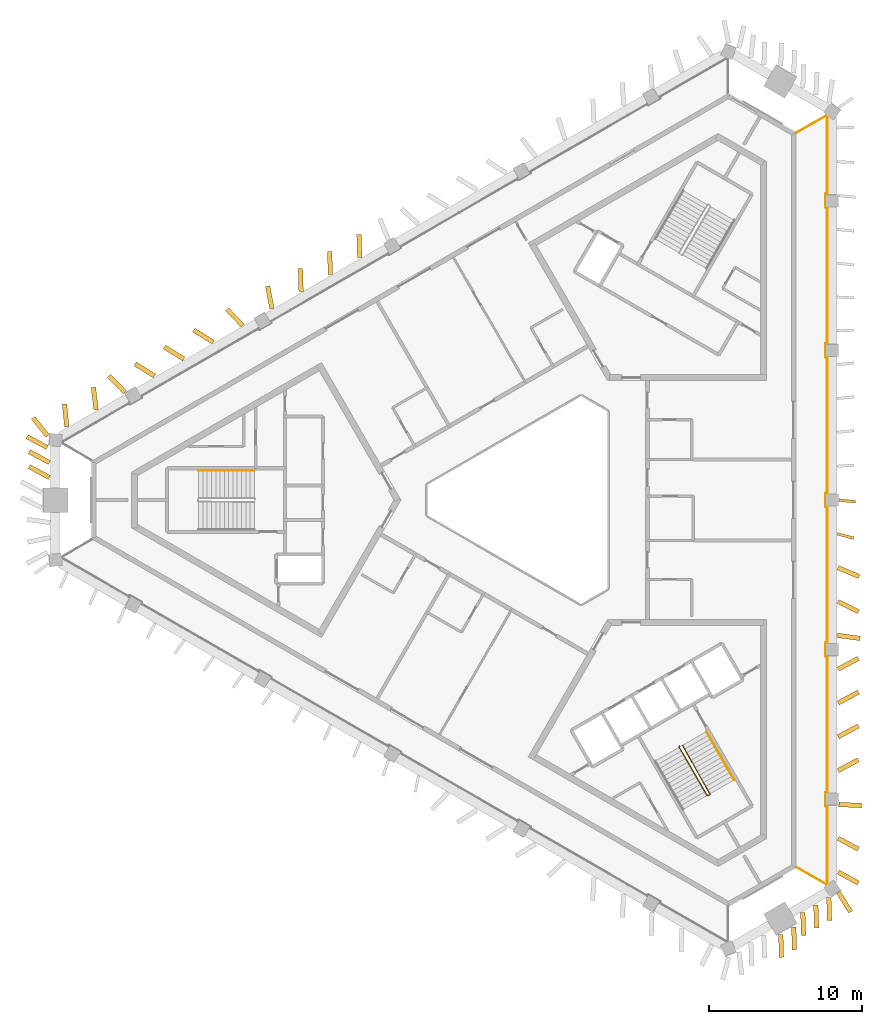
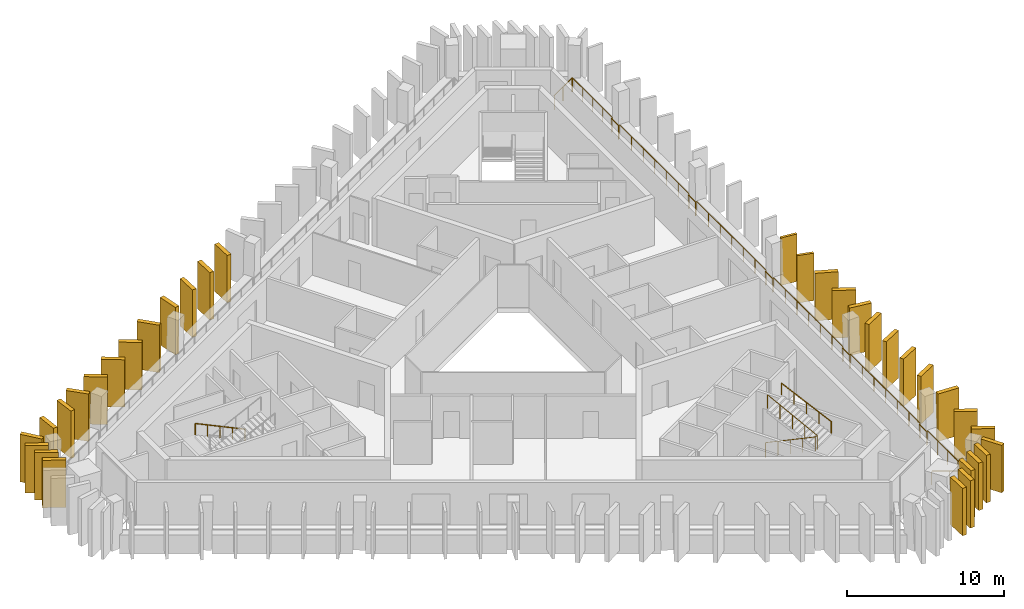
# One storey, part 8 of 9: 33 shading devices, 4 railings.
"""IFC4 building model written with IfcOpenShell, lengths in metres."""

from ifc_helpers import new_model, si_unit, direction, frame, frame_2d, origin, origin_2d, place, context, subcontext, project, spatial, rectangle, circle, extrude, material, layer, layer_set, type_object, element, save


model = new_model("IFC4")

# Units and contexts
model_context = context("Model", 3, precision=1e-05, world=origin(), true_north=direction((0.0, 1.0)))
body_context = subcontext(model_context, "Body", "Model", "MODEL_VIEW")
ifc_project = project(units=[si_unit("LENGTHUNIT", "METRE"), si_unit("AREAUNIT", "SQUARE_METRE"), si_unit("VOLUMEUNIT", "CUBIC_METRE"), si_unit("PLANEANGLEUNIT", "RADIAN"), si_unit("MASSUNIT", "GRAM", prefix="KILO")], contexts=[model_context])

# Site, building, storey
site_placement = place(None, origin())
site = spatial("IfcSite", under=ifc_project, at=site_placement, CompositionType="ELEMENT")
building_placement = place(site_placement, origin())
building = spatial("IfcBuilding", under=site, at=building_placement, Name="Jabali Bay Hotel Tower and Convention Centre", CompositionType="ELEMENT")
storey_placement = place(building_placement, frame((0.0, 0.0, 270.10009765625)))
storey = spatial("IfcBuildingStorey", under=building, at=storey_placement, Name="L66", CompositionType="ELEMENT", Elevation=270.10009765625)

# Railing
ifc_material_1 = material(Name="Glass", Category="glass")
railing_type_1 = type_object("IfcRailingType", Name="Loggia glass guard 1100", PredefinedType="BALUSTRADE", material=ifc_material_1)
railing_1_placement = place(storey_placement, frame((91.8525390625, 104.002197265625, 0.0)))
element("IfcRailing", 1, at=railing_1_placement, inside=storey, type_object=railing_type_1, Name="Loggia glass guard L66", PredefinedType="BALUSTRADE", context=body_context, shape_type="SweptSolid", body=[
    extrude(circle(Radius=0.02490234375, at=origin_2d()), frame((0.0, 0.0, 1.0751953125), z_axis=(0.865989003036, 0.500063042646, 0.0), x_axis=(-0.495784933994, 0.858580347067, 0.13052619222)), (0.0, 0.0, 1.0), 2.275146484375),
    extrude(circle(Radius=0.02490234375, at=origin_2d()), frame((1.97021484375, 1.1376953125, 1.0751953125), z_axis=(0.79528205549, -0.606239599677, 0.0), x_axis=(0.601053135861, 0.788478307258, 0.13052619222)), (0.0, 0.0, 1.0), 0.037353515625),
    extrude(circle(Radius=0.02490234375, at=origin_2d()), frame((2.0, 1.114990234375, 1.0751953125), z_axis=(0.0, -1.0, 0.0), x_axis=(0.991444861374, 0.0, 0.13052619222)), (0.0, 0.0, 1.0), 5.108154296875),
    extrude(circle(Radius=0.02490234375, at=origin_2d()), frame((2.0, -3.9931640625, 1.0751953125), z_axis=(-1.0, 0.0, 0.0), x_axis=(0.0, -0.991444861374, 0.13052619222)), (0.0, 0.0, 1.0), 0.099853515625),
    extrude(circle(Radius=0.02490234375, at=origin_2d()), frame((1.900146484375, -3.9931640625, 1.0751953125), z_axis=(0.0, -1.0, 0.0), x_axis=(0.991444861374, 0.0, 0.13052619222)), (0.0, 0.0, 1.0), 0.900146484375),
    extrude(circle(Radius=0.02490234375, at=origin_2d()), frame((1.900146484375, -4.893310546875, 1.0751953125), z_axis=(1.0, 0.0, 0.0), x_axis=(0.0, 0.991444861374, 0.13052619222)), (0.0, 0.0, 1.0), 0.099853515625),
    extrude(circle(Radius=0.02490234375, at=origin_2d()), frame((2.0, -4.893310546875, 1.0751953125), z_axis=(0.0, -1.0, 0.0), x_axis=(0.991444861374, 0.0, 0.13052619222)), (0.0, 0.0, 1.0), 8.87939453125),
    extrude(circle(Radius=0.02490234375, at=origin_2d()), frame((2.0, -13.772705078125, 1.0751953125), z_axis=(-1.0, 0.0, 0.0), x_axis=(0.0, -0.991444861374, 0.13052619222)), (0.0, 0.0, 1.0), 0.099853515625),
    extrude(circle(Radius=0.02490234375, at=origin_2d()), frame((1.900146484375, -13.772705078125, 1.0751953125), z_axis=(0.0, -1.0, 0.0), x_axis=(0.991444861374, 0.0, 0.13052619222)), (0.0, 0.0, 1.0), 0.900146484375),
    extrude(circle(Radius=0.02490234375, at=origin_2d()), frame((1.900146484375, -14.6728515625, 1.0751953125), z_axis=(1.0, 0.0, 0.0), x_axis=(0.0, 0.991444861374, 0.13052619222)), (0.0, 0.0, 1.0), 0.099853515625),
    extrude(circle(Radius=0.02490234375, at=origin_2d()), frame((2.0, -14.6728515625, 1.0751953125), z_axis=(0.0, -1.0, 0.0), x_axis=(0.991444861374, 0.0, 0.13052619222)), (0.0, 0.0, 1.0), 8.87939453125),
    extrude(circle(Radius=0.02490234375, at=origin_2d()), frame((2.0, -23.55224609375, 1.0751953125), z_axis=(-1.0, 0.0, 0.0), x_axis=(0.0, -0.991444861374, 0.13052619222)), (0.0, 0.0, 1.0), 0.099853515625),
    extrude(circle(Radius=0.02490234375, at=origin_2d()), frame((1.900146484375, -23.55224609375, 1.0751953125), z_axis=(0.0, -1.0, 0.0), x_axis=(0.991444861374, 0.0, 0.13052619222)), (0.0, 0.0, 1.0), 0.89990234375),
    extrude(circle(Radius=0.02490234375, at=origin_2d()), frame((1.900146484375, -24.4521484375, 1.0751953125), z_axis=(1.0, 0.0, 0.0), x_axis=(0.0, 0.991444861374, 0.13052619222)), (0.0, 0.0, 1.0), 0.099853515625),
    extrude(circle(Radius=0.02490234375, at=origin_2d()), frame((2.0, -24.4521484375, 1.0751953125), z_axis=(0.0, -1.0, 0.0), x_axis=(0.991444861374, 0.0, 0.13052619222)), (0.0, 0.0, 1.0), 8.87939453125),
    extrude(circle(Radius=0.02490234375, at=origin_2d()), frame((2.0, -33.33154296875, 1.0751953125), z_axis=(-1.0, 0.0, 0.0), x_axis=(0.0, -0.991444861374, 0.13052619222)), (0.0, 0.0, 1.0), 0.099853515625),
    extrude(circle(Radius=0.02490234375, at=origin_2d()), frame((1.900146484375, -33.33154296875, 1.0751953125), z_axis=(0.0, -1.0, 0.0), x_axis=(0.991444861374, 0.0, 0.13052619222)), (0.0, 0.0, 1.0), 0.900146484375),
    extrude(circle(Radius=0.02490234375, at=origin_2d()), frame((1.900146484375, -34.231689453125, 1.0751953125), z_axis=(1.0, 0.0, 0.0), x_axis=(0.0, 0.991444861374, 0.13052619222)), (0.0, 0.0, 1.0), 0.099853515625),
    extrude(circle(Radius=0.02490234375, at=origin_2d()), frame((2.0, -34.231689453125, 1.0751953125), z_axis=(0.0, -1.0, 0.0), x_axis=(0.991444861374, 0.0, 0.13052619222)), (0.0, 0.0, 1.0), 8.87939453125),
    extrude(circle(Radius=0.02490234375, at=origin_2d()), frame((2.0, -43.111083984375, 1.0751953125), z_axis=(-1.0, 0.0, 0.0), x_axis=(0.0, -0.991444861374, 0.13052619222)), (0.0, 0.0, 1.0), 0.099853515625),
    extrude(circle(Radius=0.02490234375, at=origin_2d()), frame((1.900146484375, -43.111083984375, 1.0751953125), z_axis=(0.0, -1.0, 0.0), x_axis=(0.991444861374, 0.0, 0.13052619222)), (0.0, 0.0, 1.0), 0.900146484375),
    extrude(circle(Radius=0.02490234375, at=origin_2d()), frame((1.900146484375, -44.01123046875, 1.0751953125), z_axis=(1.0, 0.0, 0.0), x_axis=(0.0, 0.991444861374, 0.13052619222)), (0.0, 0.0, 1.0), 0.099853515625),
    extrude(circle(Radius=0.02490234375, at=origin_2d()), frame((2.0, -44.01123046875, 1.0751953125), z_axis=(0.0, -1.0, 0.0), x_axis=(0.991444861374, 0.0, 0.13052619222)), (0.0, 0.0, 1.0), 5.108154296875),
    extrude(circle(Radius=0.02490234375, at=origin_2d()), frame((2.0, -49.119384765625, 1.0751953125), z_axis=(-0.79528205549, -0.606239599677, 0.0), x_axis=(0.601053135861, -0.788478307258, 0.13052619222)), (0.0, 0.0, 1.0), 0.037353515625),
    extrude(circle(Radius=0.02490234375, at=origin_2d()), frame((1.97021484375, -49.14208984375, 1.0751953125), z_axis=(-0.865989003036, 0.500063042646, 0.0), x_axis=(-0.495784933994, -0.858580347067, 0.13052619222)), (0.0, 0.0, 1.0), 2.275146484375),
    extrude(circle(Radius=0.02001953125, at=origin_2d()), origin(), (0.0, 0.0, 1.0), 1.050048828125),
    extrude(circle(Radius=0.02001953125, at=origin_2d()), frame((0.985107421875, 0.56884765625, 0.0)), (0.0, 0.0, 1.0), 1.050048828125),
    extrude(circle(Radius=0.02001953125, at=origin_2d()), frame((1.97021484375, 1.1376953125, 0.0)), (0.0, 0.0, 1.0), 1.050048828125),
    extrude(circle(Radius=0.02001953125, at=origin_2d()), frame((2.0, 1.114990234375, 0.0)), (0.0, 0.0, 1.0), 1.050048828125),
    extrude(circle(Radius=0.02001953125, at=origin_2d()), frame((2.0, -0.162109375, 0.0)), (0.0, 0.0, 1.0), 1.050048828125),
    extrude(circle(Radius=0.02001953125, at=origin_2d()), frame((2.0, -1.43896484375, 0.0)), (0.0, 0.0, 1.0), 1.050048828125),
    extrude(circle(Radius=0.02001953125, at=origin_2d()), frame((2.0, -2.716064453125, 0.0)), (0.0, 0.0, 1.0), 1.050048828125),
    extrude(circle(Radius=0.02001953125, at=origin_2d()), frame((2.0, -3.9931640625, 0.0)), (0.0, 0.0, 1.0), 1.050048828125),
    extrude(circle(Radius=0.02001953125, at=origin_2d()), frame((1.900146484375, -3.9931640625, 0.0)), (0.0, 0.0, 1.0), 1.050048828125),
    extrude(circle(Radius=0.02001953125, at=origin_2d()), frame((1.900146484375, -4.893310546875, 0.0)), (0.0, 0.0, 1.0), 1.050048828125),
    extrude(circle(Radius=0.02001953125, at=origin_2d()), frame((2.0, -4.893310546875, 0.0)), (0.0, 0.0, 1.0), 1.050048828125),
    extrude(circle(Radius=0.02001953125, at=origin_2d()), frame((2.0, -6.373291015625, 0.0)), (0.0, 0.0, 1.0), 1.050048828125),
    extrude(circle(Radius=0.02001953125, at=origin_2d()), frame((2.0, -7.85302734375, 0.0)), (0.0, 0.0, 1.0), 1.050048828125),
    extrude(circle(Radius=0.02001953125, at=origin_2d()), frame((2.0, -9.3330078125, 0.0)), (0.0, 0.0, 1.0), 1.050048828125),
    extrude(circle(Radius=0.02001953125, at=origin_2d()), frame((2.0, -10.81298828125, 0.0)), (0.0, 0.0, 1.0), 1.050048828125),
    extrude(circle(Radius=0.02001953125, at=origin_2d()), frame((2.0, -12.292724609375, 0.0)), (0.0, 0.0, 1.0), 1.050048828125),
    extrude(circle(Radius=0.02001953125, at=origin_2d()), frame((2.0, -13.772705078125, 0.0)), (0.0, 0.0, 1.0), 1.050048828125),
    extrude(circle(Radius=0.02001953125, at=origin_2d()), frame((1.900146484375, -13.772705078125, 0.0)), (0.0, 0.0, 1.0), 1.050048828125),
    extrude(circle(Radius=0.02001953125, at=origin_2d()), frame((1.900146484375, -14.6728515625, 0.0)), (0.0, 0.0, 1.0), 1.050048828125),
    extrude(circle(Radius=0.02001953125, at=origin_2d()), frame((2.0, -14.6728515625, 0.0)), (0.0, 0.0, 1.0), 1.050048828125),
    extrude(circle(Radius=0.02001953125, at=origin_2d()), frame((2.0, -16.15283203125, 0.0)), (0.0, 0.0, 1.0), 1.050048828125),
    extrude(circle(Radius=0.02001953125, at=origin_2d()), frame((2.0, -17.632568359375, 0.0)), (0.0, 0.0, 1.0), 1.050048828125),
    extrude(circle(Radius=0.02001953125, at=origin_2d()), frame((2.0, -19.112548828125, 0.0)), (0.0, 0.0, 1.0), 1.050048828125),
    extrude(circle(Radius=0.02001953125, at=origin_2d()), frame((2.0, -20.592529296875, 0.0)), (0.0, 0.0, 1.0), 1.050048828125),
    extrude(circle(Radius=0.02001953125, at=origin_2d()), frame((2.0, -22.072265625, 0.0)), (0.0, 0.0, 1.0), 1.050048828125),
    extrude(circle(Radius=0.02001953125, at=origin_2d()), frame((2.0, -23.55224609375, 0.0)), (0.0, 0.0, 1.0), 1.050048828125),
    extrude(circle(Radius=0.02001953125, at=origin_2d()), frame((1.900146484375, -23.55224609375, 0.0)), (0.0, 0.0, 1.0), 1.050048828125),
    extrude(circle(Radius=0.02001953125, at=origin_2d()), frame((1.900146484375, -24.4521484375, 0.0)), (0.0, 0.0, 1.0), 1.050048828125),
    extrude(circle(Radius=0.02001953125, at=origin_2d()), frame((2.0, -24.4521484375, 0.0)), (0.0, 0.0, 1.0), 1.050048828125),
    extrude(circle(Radius=0.02001953125, at=origin_2d()), frame((2.0, -25.93212890625, 0.0)), (0.0, 0.0, 1.0), 1.050048828125),
    extrude(circle(Radius=0.02001953125, at=origin_2d()), frame((2.0, -27.411865234375, 0.0)), (0.0, 0.0, 1.0), 1.050048828125),
    extrude(circle(Radius=0.02001953125, at=origin_2d()), frame((2.0, -28.891845703125, 0.0)), (0.0, 0.0, 1.0), 1.050048828125),
    extrude(circle(Radius=0.02001953125, at=origin_2d()), frame((2.0, -30.371826171875, 0.0)), (0.0, 0.0, 1.0), 1.050048828125),
    extrude(circle(Radius=0.02001953125, at=origin_2d()), frame((2.0, -31.8515625, 0.0)), (0.0, 0.0, 1.0), 1.050048828125),
    extrude(circle(Radius=0.02001953125, at=origin_2d()), frame((2.0, -33.33154296875, 0.0)), (0.0, 0.0, 1.0), 1.050048828125),
    extrude(circle(Radius=0.02001953125, at=origin_2d()), frame((1.900146484375, -33.33154296875, 0.0)), (0.0, 0.0, 1.0), 1.050048828125),
    extrude(circle(Radius=0.02001953125, at=origin_2d()), frame((1.900146484375, -34.231689453125, 0.0)), (0.0, 0.0, 1.0), 1.050048828125),
    extrude(circle(Radius=0.02001953125, at=origin_2d()), frame((2.0, -34.231689453125, 0.0)), (0.0, 0.0, 1.0), 1.050048828125),
    extrude(circle(Radius=0.02001953125, at=origin_2d()), frame((2.0, -35.711669921875, 0.0)), (0.0, 0.0, 1.0), 1.050048828125),
    extrude(circle(Radius=0.02001953125, at=origin_2d()), frame((2.0, -37.19140625, 0.0)), (0.0, 0.0, 1.0), 1.050048828125),
    extrude(circle(Radius=0.02001953125, at=origin_2d()), frame((2.0, -38.67138671875, 0.0)), (0.0, 0.0, 1.0), 1.050048828125),
    extrude(circle(Radius=0.02001953125, at=origin_2d()), frame((2.0, -40.1513671875, 0.0)), (0.0, 0.0, 1.0), 1.050048828125),
    extrude(circle(Radius=0.02001953125, at=origin_2d()), frame((2.0, -41.631103515625, 0.0)), (0.0, 0.0, 1.0), 1.050048828125),
    extrude(circle(Radius=0.02001953125, at=origin_2d()), frame((2.0, -43.111083984375, 0.0)), (0.0, 0.0, 1.0), 1.050048828125),
    extrude(circle(Radius=0.02001953125, at=origin_2d()), frame((1.900146484375, -43.111083984375, 0.0)), (0.0, 0.0, 1.0), 1.050048828125),
    extrude(circle(Radius=0.02001953125, at=origin_2d()), frame((1.900146484375, -44.01123046875, 0.0)), (0.0, 0.0, 1.0), 1.050048828125),
    extrude(circle(Radius=0.02001953125, at=origin_2d()), frame((2.0, -44.01123046875, 0.0)), (0.0, 0.0, 1.0), 1.050048828125),
    extrude(circle(Radius=0.02001953125, at=origin_2d()), frame((2.0, -45.288330078125, 0.0)), (0.0, 0.0, 1.0), 1.050048828125),
    extrude(circle(Radius=0.02001953125, at=origin_2d()), frame((2.0, -46.5654296875, 0.0)), (0.0, 0.0, 1.0), 1.050048828125),
    extrude(circle(Radius=0.02001953125, at=origin_2d()), frame((2.0, -47.84228515625, 0.0)), (0.0, 0.0, 1.0), 1.050048828125),
    extrude(circle(Radius=0.02001953125, at=origin_2d()), frame((2.0, -49.119384765625, 0.0)), (0.0, 0.0, 1.0), 1.050048828125),
    extrude(circle(Radius=0.02001953125, at=origin_2d()), frame((1.97021484375, -49.14208984375, 0.0)), (0.0, 0.0, 1.0), 1.050048828125),
    extrude(circle(Radius=0.02001953125, at=origin_2d()), frame((0.985107421875, -48.5732421875, 0.0)), (0.0, 0.0, 1.0), 1.050048828125),
    extrude(circle(Radius=0.02001953125, at=origin_2d()), frame((0.0, -48.00439453125, 0.0)), (0.0, 0.0, 1.0), 1.050048828125),
])

# Shading devices
ifc_material_2 = material(Name="Precast concrete C60", Category="concrete")
ifc_layer_1 = layer(ifc_material_2, 0.179931640625)
ifc_layer_set_1 = layer_set([ifc_layer_1], Name="Precast concrete C60")
shading_device_type_1 = type_object("IfcShadingDeviceType", Name="Precast fin 3680 x 1100", PredefinedType="USERDEFINED", material=ifc_layer_set_1)
for number, where, z_axis, x_axis, name in (
    (2, (94.517822265625, 77.789794921875, 0.010009765625), (0.0, 0.0, 1.0), (0.967120514926, -0.254318519988, 0.0), "Fin L66 010"),
    (3, (94.612060546875, 80.0, 0.010009765625), (0.0, 0.0, 1.0), (0.994285620434, -0.106752540944, 0.0), "Fin L66 011"),
):
    element("IfcShadingDevice", number, at=place(storey_placement, frame(where, z_axis=z_axis, x_axis=x_axis)), inside=storey, type_object=shading_device_type_1, Name=name, ObjectType="FIN", PredefinedType="USERDEFINED", context=body_context, shape_type="SweptSolid", body=[
        extrude(rectangle(XDim=1.10009765625, YDim=0.179931640625, at=frame_2d((0.550048828125, 0.0))), origin(), (0.0, 0.0, 1.0), 3.679931640625),
    ])
ifc_layer_2 = layer(ifc_material_2, 0.300048828125)
ifc_layer_set_2 = layer_set([ifc_layer_2], Name="Precast concrete C60")
shading_device_type_2 = type_object("IfcShadingDeviceType", Name="Precast fin 3680 x 1500", PredefinedType="USERDEFINED", material=ifc_layer_set_2)
for number, where, z_axis, x_axis, name in (
    (4, (94.56591796875, 55.688232421875, 0.010009765625), (0.0, 0.0, 1.0), (0.881097417694, -0.472934816368, 0.0), "Fin L66 000"),
    (5, (94.56591796875, 57.8984375, 0.010009765625), (0.0, 0.0, 1.0), (0.881097417694, -0.472934816368, 0.0), "Fin L66 001"),
):
    element("IfcShadingDevice", number, at=place(storey_placement, frame(where, z_axis=z_axis, x_axis=x_axis)), inside=storey, type_object=shading_device_type_2, Name=name, ObjectType="FIN", PredefinedType="USERDEFINED", context=body_context, shape_type="SweptSolid", body=[
        extrude(rectangle(XDim=1.500244140625, YDim=0.300048828125, at=frame_2d((0.75, 0.0))), origin(), (0.0, 0.0, 1.0), 3.679931640625),
    ])
shading_device_1_placement = place(storey_placement, frame((94.605712890625, 60.108642578125, 0.010009765625), z_axis=(0.0, 0.0, 1.0), x_axis=(0.998815247038, -0.048663151192, 0.0)))
element("IfcShadingDevice", 6, at=shading_device_1_placement, inside=storey, type_object=shading_device_type_2, Name="Fin L66 002", ObjectType="FIN", PredefinedType="USERDEFINED", context=body_context, shape_type="SweptSolid", body=[
    extrude(rectangle(XDim=1.5, YDim=0.300048828125, at=frame_2d((0.75, 0.0))), origin(), (0.0, 0.0, 1.0), 3.679931640625),
])
for number, where, z_axis, x_axis, name in (
    (7, (94.56591796875, 62.31884765625, 0.010009765625), (0.0, 0.0, 1.0), (0.881097417694, 0.472934816368, 0.0), "Fin L66 003"),
    (8, (94.56591796875, 64.52880859375, 0.010009765625), (0.0, 0.0, 1.0), (0.881097417694, 0.472934816368, 0.0), "Fin L66 004"),
):
    element("IfcShadingDevice", number, at=place(storey_placement, frame(where, z_axis=z_axis, x_axis=x_axis)), inside=storey, type_object=shading_device_type_2, Name=name, ObjectType="FIN", PredefinedType="USERDEFINED", context=body_context, shape_type="SweptSolid", body=[
        extrude(rectangle(XDim=1.500244140625, YDim=0.300048828125, at=frame_2d((0.75, 0.0))), origin(), (0.0, 0.0, 1.0), 3.679931640625),
    ])
for number, where, z_axis, x_axis, name in (
    (9, (94.56591796875, 66.739013671875, 0.010009765625), (0.0, 0.0, 1.0), (0.881165229654, 0.472808458098, 0.0), "Fin L66 005"),
    (10, (94.56591796875, 68.94921875, 0.010009765625), (0.0, 0.0, 1.0), (0.881576743977, 0.472040723326, 0.0), "Fin L66 006"),
    (11, (94.515380859375, 71.159423828125, 0.010009765625), (0.0, 0.0, 1.0), (0.99072189514, -0.135904843509, 0.0), "Fin L66 007"),
):
    element("IfcShadingDevice", number, at=place(storey_placement, frame(where, z_axis=z_axis, x_axis=x_axis)), inside=storey, type_object=shading_device_type_2, Name=name, ObjectType="FIN", PredefinedType="USERDEFINED", context=body_context, shape_type="SweptSolid", body=[
        extrude(rectangle(XDim=1.5, YDim=0.300048828125, at=frame_2d((0.75, 0.0))), origin(), (0.0, 0.0, 1.0), 3.679931640625),
    ])
shading_device_2_placement = place(storey_placement, frame((94.5625, 73.36962890625, 0.010009765625), z_axis=(0.0, 0.0, 1.0), x_axis=(0.892957728581, -0.450140528022, 0.0)))
element("IfcShadingDevice", 12, at=shading_device_2_placement, inside=storey, type_object=shading_device_type_2, Name="Fin L66 008", ObjectType="FIN", PredefinedType="USERDEFINED", context=body_context, shape_type="SweptSolid", body=[
    extrude(rectangle(XDim=1.500244140625, YDim=0.300048828125, at=frame_2d((0.75, 0.0))), origin(), (0.0, 0.0, 1.0), 3.679931640625),
])
shading_device_3_placement = place(storey_placement, frame((94.552734375, 75.57958984375, 0.010009765625), z_axis=(0.0, 0.0, 1.0), x_axis=(0.923269442447, -0.38415301202, 0.0)))
element("IfcShadingDevice", 13, at=shading_device_3_placement, inside=storey, type_object=shading_device_type_2, Name="Fin L66 009", ObjectType="FIN", PredefinedType="USERDEFINED", context=body_context, shape_type="SweptSolid", body=[
    extrude(rectangle(XDim=1.499755859375, YDim=0.300048828125, at=frame_2d((0.75, 0.0))), origin(), (0.0, 0.0, 1.0), 3.679931640625),
])
shading_device_4_placement = place(storey_placement, frame((63.302978515625, 95.839599609375, 0.010009765625), z_axis=(0.0, 0.0, 1.0), x_axis=(-0.030924788426, 0.999521714352, 0.0)))
element("IfcShadingDevice", 14, at=shading_device_4_placement, inside=storey, type_object=shading_device_type_2, Name="Fin L66 043", ObjectType="FIN", PredefinedType="USERDEFINED", context=body_context, shape_type="SweptSolid", body=[
    extrude(rectangle(XDim=1.5, YDim=0.300048828125, at=frame_2d((0.75, 0.0))), origin(), (0.0, 0.0, 1.0), 3.679931640625),
])
shading_device_5_placement = place(storey_placement, frame((61.388916015625, 94.734375, 0.010009765625), z_axis=(0.0, 0.0, 1.0), x_axis=(-0.03091975827, 0.99952186997, 0.0)))
element("IfcShadingDevice", 15, at=shading_device_5_placement, inside=storey, type_object=shading_device_type_2, Name="Fin L66 044", ObjectType="FIN", PredefinedType="USERDEFINED", context=body_context, shape_type="SweptSolid", body=[
    extrude(rectangle(XDim=1.500244140625, YDim=0.300048828125, at=frame_2d((0.75, 0.0))), origin(), (0.0, 0.0, 1.0), 3.679931640625),
])
for number, where, z_axis, x_axis, name in (
    (16, (59.474853515625, 93.62939453125, 0.010009765625), (0.0, 0.0, 1.0), (-0.030924788426, 0.999521714352, 0.0), "Fin L66 045"),
    (17, (57.57177734375, 92.50537109375, 0.010009765625), (0.0, 0.0, 1.0), (-0.189288052949, 0.981921602273, 0.0), "Fin L66 046"),
    (18, (55.66455078125, 91.38818359375, 0.010009765625), (0.0, 0.0, 1.0), (-0.688976141605, 0.72478402045, 0.0), "Fin L66 047"),
    (19, (53.732666015625, 90.314208984375, 0.010009765625), (0.0, 0.0, 1.0), (-0.850140244576, 0.526556326097, 0.0), "Fin L66 048"),
    (20, (51.818603515625, 89.208984375, 0.010009765625), (0.0, 0.0, 1.0), (-0.850067379866, 0.526673950076, 0.0), "Fin L66 049"),
):
    element("IfcShadingDevice", number, at=place(storey_placement, frame(where, z_axis=z_axis, x_axis=x_axis)), inside=storey, type_object=shading_device_type_2, Name=name, ObjectType="FIN", PredefinedType="USERDEFINED", context=body_context, shape_type="SweptSolid", body=[
        extrude(rectangle(XDim=1.5, YDim=0.300048828125, at=frame_2d((0.75, 0.0))), origin(), (0.0, 0.0, 1.0), 3.679931640625),
    ])
shading_device_6_placement = place(storey_placement, frame((49.904541015625, 88.10400390625, 0.010009765625), z_axis=(0.0, 0.0, 1.0), x_axis=(-0.849713094818, 0.527245347532, 0.0)))
element("IfcShadingDevice", 21, at=shading_device_6_placement, inside=storey, type_object=shading_device_type_2, Name="Fin L66 050", ObjectType="FIN", PredefinedType="USERDEFINED", context=body_context, shape_type="SweptSolid", body=[
    extrude(rectangle(XDim=1.499755859375, YDim=0.300048828125, at=frame_2d((0.75, 0.0))), origin(), (0.0, 0.0, 1.0), 3.679931640625),
])
for number, where, z_axis, x_axis, name in (
    (22, (47.963623046875, 87.045654296875, 0.010009765625), (0.0, 0.0, 1.0), (-0.702699225, 0.711487033743, 0.0), "Fin L66 051"),
    (23, (46.08251953125, 85.883544921875, 0.010009765625), (0.0, 0.0, 1.0), (-0.118805088434, 0.992917595253, 0.0), "Fin L66 052"),
    (24, (44.167236328125, 84.780517578125, 0.010009765625), (0.0, 0.0, 1.0), (-0.101227705214, 0.994863282917, 0.0), "Fin L66 053"),
):
    element("IfcShadingDevice", number, at=place(storey_placement, frame(where, z_axis=z_axis, x_axis=x_axis)), inside=storey, type_object=shading_device_type_2, Name=name, ObjectType="FIN", PredefinedType="USERDEFINED", context=body_context, shape_type="SweptSolid", body=[
        extrude(rectangle(XDim=1.500244140625, YDim=0.300048828125, at=frame_2d((0.75, 0.0))), origin(), (0.0, 0.0, 1.0), 3.679931640625),
    ])
for number, where, z_axis, x_axis, name in (
    (25, (42.889404296875, 83.431396484375, 0.010009765625), (0.0, 0.0, 1.0), (-0.881061009287, 0.473002640493, 0.0), "Fin L66 054"),
    (26, (43.029296875, 82.450927734375, 0.010009765625), (0.0, 0.0, 1.0), (-0.881061009287, 0.473002640493, 0.0), "Fin L66 055"),
    (27, (43.029296875, 81.470703125, 0.010009765625), (0.0, 0.0, 1.0), (-0.881061009287, 0.473002640493, 0.0), "Fin L66 056"),
    (28, (90.817138671875, 51.62353515625, 0.010009765625), (0.0, 0.0, 1.0), (0.030924788426, -0.999521714352, 0.0), "Fin L66 088"),
    (29, (91.666259765625, 52.11376953125, 0.010009765625), (0.0, 0.0, 1.0), (0.030924788426, -0.999521714352, 0.0), "Fin L66 089"),
    (30, (92.2587890625, 53.0478515625, 0.010009765625), (0.0, 0.0, 1.0), (0.030924788426, -0.999521714352, 0.0), "Fin L66 090"),
    (31, (93.10791015625, 53.5380859375, 0.010009765625), (0.0, 0.0, 1.0), (0.030924788426, -0.999521714352, 0.0), "Fin L66 091"),
    (32, (93.95703125, 54.0283203125, 0.010009765625), (0.0, 0.0, 1.0), (0.030924788426, -0.999521714352, 0.0), "Fin L66 092"),
    (33, (94.591552734375, 54.358642578125, 0.010009765625), (0.0, 0.0, 1.0), (0.526556326097, -0.850140244576, 0.0), "Fin L66 093"),
    (34, (42.913330078125, 84.195068359375, 0.010009765625), (0.0, 0.0, 1.0), (-0.629071801762, 0.77734719928, 0.0), "Fin L66 096"),
):
    element("IfcShadingDevice", number, at=place(storey_placement, frame(where, z_axis=z_axis, x_axis=x_axis)), inside=storey, type_object=shading_device_type_2, Name=name, ObjectType="FIN", PredefinedType="USERDEFINED", context=body_context, shape_type="SweptSolid", body=[
        extrude(rectangle(XDim=1.5, YDim=0.300048828125, at=frame_2d((0.75, 0.0))), origin(), (0.0, 0.0, 1.0), 3.679931640625),
    ])

# Railings
ifc_material_3 = material(Name="Steel Q355B", Category="steel")
railing_type_2 = type_object("IfcRailingType", Name="Stair guard 1100", PredefinedType="GUARDRAIL", material=ifc_material_3)
railing_2_placement = place(storey_placement, frame((84.199951171875, 63.9150390625, 0.0)))
element("IfcRailing", 35, at=railing_2_placement, inside=storey, type_object=railing_type_2, Name="L66 ST3 stair guard 1", PredefinedType="GUARDRAIL", context=body_context, shape_type="SweptSolid", body=[
    extrude(circle(Radius=0.02392578125, at=origin_2d()), frame((0.0, 0.0, 1.076171875), z_axis=(-0.122196845461, -0.456201556387, 0.881446578591), x_axis=(0.965948051503, -0.258736085224, 0.0)), (0.0, 0.0, 1.0), 0.14990234375),
    extrude(circle(Radius=0.02392578125, at=origin_2d()), frame((-0.018310546875, -0.068359375, 1.2080078125), z_axis=(0.452190331055, -0.783190014029, 0.426775475427), x_axis=(0.866018046521, 0.500012742938, 0.0)), (0.0, 0.0, 1.0), 4.02490234375),
    extrude(circle(Radius=0.02392578125, at=origin_2d()), frame((1.8017578125, -3.220703125, 2.92578125), z_axis=(0.96121063429, 0.275815366736, 0.0), x_axis=(-0.275815366736, 0.96121063429, 0.0)), (0.0, 0.0, 1.0), 0.206298828125),
    extrude(circle(Radius=0.02392578125, at=origin_2d()), frame((2.0, -3.163818359375, 2.92578125), z_axis=(-0.436470229993, 0.780146179382, 0.448180406895), x_axis=(-0.872702246529, -0.488252792008, 0.0)), (0.0, 0.0, 1.0), 4.1279296875),
    extrude(circle(Radius=0.02099609375, at=origin_2d()), origin(), (0.0, 0.0, 1.0), 1.052001953125),
    extrude(circle(Radius=0.02099609375, at=origin_2d()), frame((-0.018310546875, -0.068359375, 0.132080078125)), (0.0, 0.0, 1.0), 1.052001953125),
    extrude(circle(Radius=0.02099609375, at=origin_2d()), frame((0.436767578125, -0.8564453125, 0.5615234375)), (0.0, 0.0, 1.0), 1.052001953125),
    extrude(circle(Radius=0.02099609375, at=origin_2d()), frame((0.8916015625, -1.64453125, 0.990966796875)), (0.0, 0.0, 1.0), 1.052001953125),
    extrude(circle(Radius=0.02099609375, at=origin_2d()), frame((1.3466796875, -2.4326171875, 1.42041015625)), (0.0, 0.0, 1.0), 1.052001953125),
    extrude(circle(Radius=0.02099609375, at=origin_2d()), frame((1.8017578125, -3.220703125, 1.849853515625)), (0.0, 0.0, 1.0), 1.052001953125),
    extrude(circle(Radius=0.02099609375, at=origin_2d()), frame((2.0, -3.163818359375, 1.849853515625)), (0.0, 0.0, 1.0), 1.052001953125),
    extrude(circle(Radius=0.02099609375, at=origin_2d()), frame((1.549560546875, -2.358642578125, 2.3125)), (0.0, 0.0, 1.0), 1.052001953125),
    extrude(circle(Radius=0.02099609375, at=origin_2d()), frame((1.09912109375, -1.5537109375, 2.77490234375)), (0.0, 0.0, 1.0), 1.052001953125),
    extrude(circle(Radius=0.02099609375, at=origin_2d()), frame((0.648681640625, -0.74853515625, 3.2373046875)), (0.0, 0.0, 1.0), 1.052001953125),
    extrude(circle(Radius=0.02099609375, at=origin_2d()), frame((0.1982421875, 0.056640625, 3.699951171875)), (0.0, 0.0, 1.0), 1.052001953125),
])
railing_type_3 = type_object("IfcRailingType", Name="Stair handrail 900", PredefinedType="HANDRAIL", material=ifc_material_3)
railing_3_placement = place(storey_placement, frame((56.419921875, 81.925048828125, 0.132080078125)))
element("IfcRailing", 36, at=railing_3_placement, inside=storey, type_object=railing_type_3, Name="L66 ST1 stair handrail 1", PredefinedType="HANDRAIL", context=body_context, shape_type="SweptSolid", body=[
    extrude(circle(Radius=0.02392578125, at=origin_2d()), frame((0.0, 0.0, 0.8759765625), z_axis=(-0.904350763662, 0.0, 0.426789990819), x_axis=(0.0, -1.0, 0.0)), (0.0, 0.0, 1.0), 4.02490234375),
    extrude(circle(Radius=0.02099609375, at=origin_2d()), origin(), (0.0, 0.0, 1.0), 0.851806640625),
    extrude(circle(Radius=0.02099609375, at=origin_2d()), frame((-0.909912109375, 0.0, 0.429443359375)), (0.0, 0.0, 1.0), 0.851806640625),
    extrude(circle(Radius=0.02099609375, at=origin_2d()), frame((-1.81982421875, 0.0, 0.85888671875)), (0.0, 0.0, 1.0), 0.851806640625),
    extrude(circle(Radius=0.02099609375, at=origin_2d()), frame((-2.72998046875, 0.0, 1.288330078125)), (0.0, 0.0, 1.0), 0.851806640625),
    extrude(circle(Radius=0.02099609375, at=origin_2d()), frame((-3.639892578125, 0.0, 1.7177734375)), (0.0, 0.0, 1.0), 0.851806640625),
])
railing_4_placement = place(storey_placement, frame((87.777099609375, 61.719482421875, 1.98193359375)))
element("IfcRailing", 37, at=railing_4_placement, inside=storey, type_object=railing_type_3, Name="L66 ST3 stair handrail 2", PredefinedType="HANDRAIL", context=body_context, shape_type="SweptSolid", body=[
    extrude(circle(Radius=0.02392578125, at=origin_2d()), frame((0.0, 0.0, 0.8759765625), z_axis=(-0.45217862506, 0.783169739339, 0.426825081763), x_axis=(-0.866018046521, -0.500012742938, 0.0)), (0.0, 0.0, 1.0), 4.025146484375),
    extrude(circle(Radius=0.02099609375, at=origin_2d()), origin(), (0.0, 0.0, 1.0), 0.851806640625),
    extrude(circle(Radius=0.02099609375, at=origin_2d()), frame((-0.455078125, 0.7880859375, 0.429443359375)), (0.0, 0.0, 1.0), 0.851806640625),
    extrude(circle(Radius=0.02099609375, at=origin_2d()), frame((-0.91015625, 1.576171875, 0.85888671875)), (0.0, 0.0, 1.0), 0.851806640625),
    extrude(circle(Radius=0.02099609375, at=origin_2d()), frame((-1.364990234375, 2.3642578125, 1.28857421875)), (0.0, 0.0, 1.0), 0.851806640625),
    extrude(circle(Radius=0.02099609375, at=origin_2d()), frame((-1.820068359375, 3.15234375, 1.718017578125)), (0.0, 0.0, 1.0), 0.851806640625),
])

save(model, "model.ifc")
